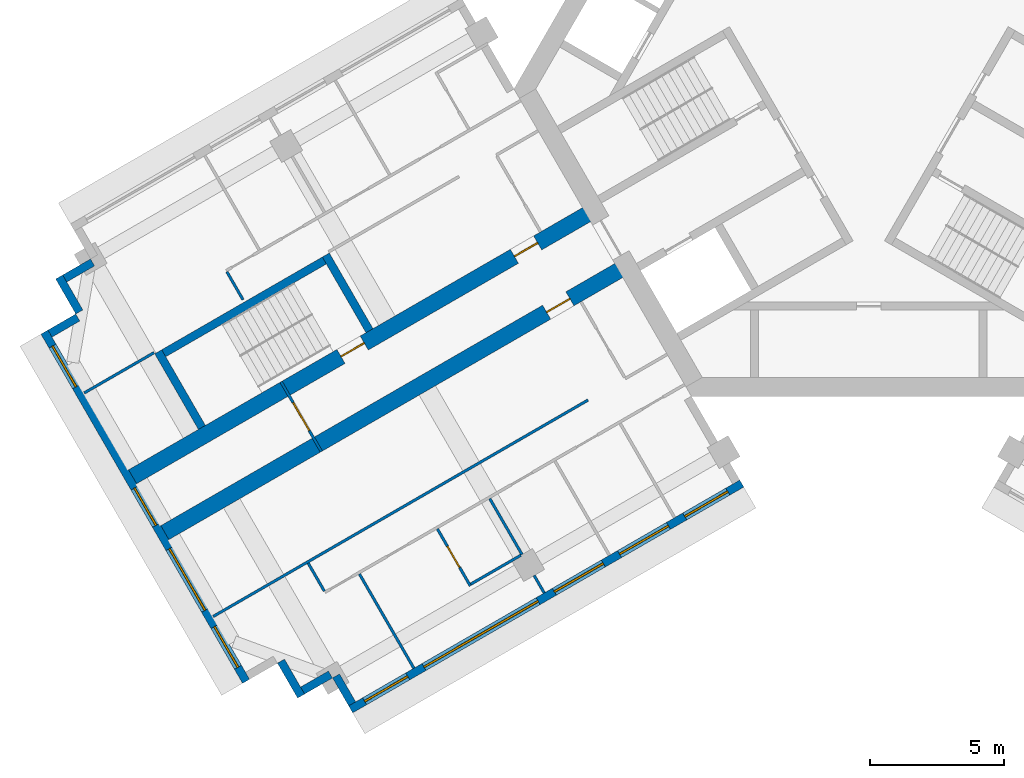
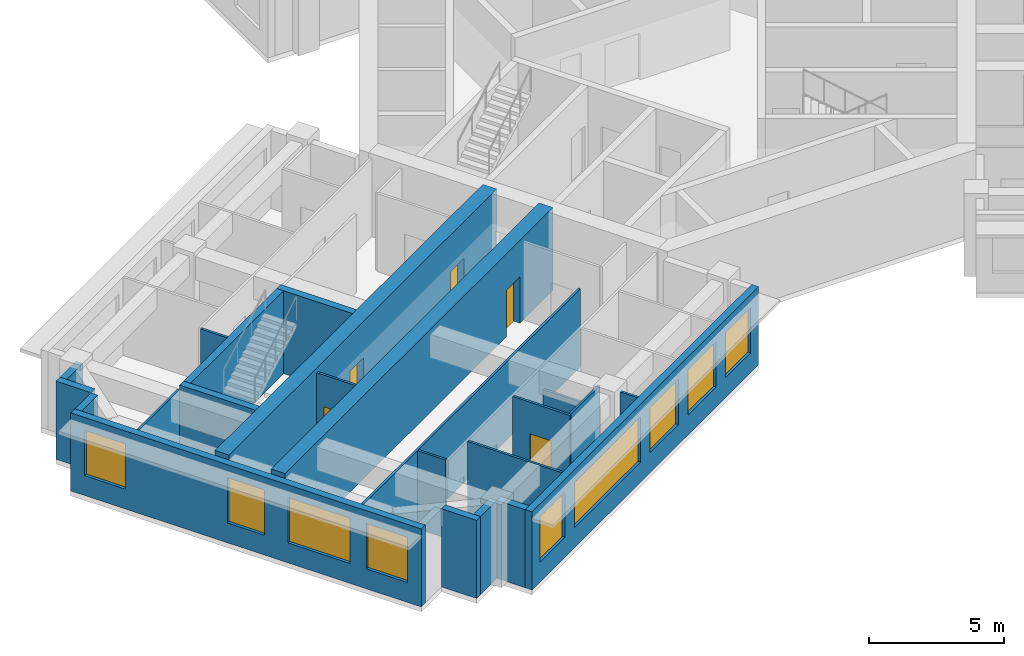
# One storey, part 2 of 10: 23 walls, 9 windows, 5 doors, 14 openings.
"""IFC4 building model written with IfcOpenShell, lengths in metres."""

from ifc_helpers import new_model, si_unit, direction, frame, frame_2d, origin, place, context, subcontext, project, spatial, rectangle, extrude, material, layer, layer_set, type_object, element, fill, save


model = new_model("IFC4")

# Units and contexts
model_context = context("Model", 3, precision=1e-05, world=origin(), true_north=direction((0.0, 1.0)))
body_context = subcontext(model_context, "Body", "Model", "MODEL_VIEW")
ifc_project = project(units=[si_unit("LENGTHUNIT", "METRE"), si_unit("AREAUNIT", "SQUARE_METRE"), si_unit("VOLUMEUNIT", "CUBIC_METRE"), si_unit("PLANEANGLEUNIT", "RADIAN"), si_unit("MASSUNIT", "GRAM", prefix="KILO")], contexts=[model_context])

# Site, building, storey
site_placement = place(None, origin())
site = spatial("IfcSite", under=ifc_project, at=site_placement, CompositionType="ELEMENT")
building_placement = place(site_placement, origin())
building = spatial("IfcBuilding", under=site, at=building_placement, Name="Impinga Residences", CompositionType="ELEMENT")
storey_placement = place(building_placement, frame((0.0, 0.0, 263.5)))
storey = spatial("IfcBuildingStorey", under=building, at=storey_placement, Name="L66", CompositionType="ELEMENT", Elevation=263.5)

# Wall, opening, door
ifc_material_1 = material(Name="Concrete C60/75", Category="concrete")
ifc_layer_1 = layer(ifc_material_1, 0.60009765625)
ifc_layer_set_1 = layer_set([ifc_layer_1], Name="Concrete C60/75")
wall_type_1 = type_object("IfcWallType", Name="BW3 corridor buttress wall, L46 to L73 600", PredefinedType="SHEAR", material=ifc_layer_set_1)
wall_1_placement = place(storey_placement, frame((-8.996826171875, -6.580078125, 0.0), z_axis=(0.0, 0.0, 1.0), x_axis=(-0.866030540451, -0.499991102927, 0.0)))
wall_1 = element("IfcWall", 1, at=wall_1_placement, inside=storey, type_object=wall_type_1, Name="Corridor wall BW3 WC L66", PredefinedType="SHEAR", context=body_context, shape_type="SweptSolid", body=[
    extrude(rectangle(XDim=19.849853515625, YDim=0.60009765625, at=frame_2d((9.9248046875, 0.0))), origin(), (0.0, 0.0, 1.0), 3.75),
])
opening_1_placement = place(wall_1_placement, frame((2.449951171875, 0.0, 0.0)))
opening_1 = element("IfcOpeningElement", 2, at=opening_1_placement, cuts=wall_1, Name="Opening D1", PredefinedType="OPENING", context=body_context, shape_type="SweptSolid", body=[
    extrude(rectangle(XDim=1.0, YDim=2.10009765625, at=frame_2d((0.5, 1.050048828125))), frame((0.0, 0.31005859375, 0.0), z_axis=(0.0, -1.0, 0.0), x_axis=(1.0, 0.0, 0.0)), (0.0, 0.0, 1.0), 0.6201171875),
])
ifc_material_2 = material(Name="Timber door set", Category="wood")
door_type_1 = type_object("IfcDoorType", Name="D1 apartment entrance door 1000x2100", OperationType="SINGLE_SWING_LEFT", PredefinedType="DOOR", material=ifc_material_2)
door_1_placement = place(opening_1_placement, origin())
door_1 = element("IfcDoor", 3, at=door_1_placement, inside=storey, type_object=door_type_1, Name="Apartment L66-WA1 entrance", OperationType="SINGLE_SWING_LEFT", OverallHeight=2.10009765625, OverallWidth=1.0, PredefinedType="DOOR", context=body_context, shape_type="SweptSolid", body=[
    extrude(rectangle(XDim=1.0, YDim=2.10009765625, at=frame_2d((0.5, 1.050048828125))), frame((0.0, 0.02490234375, 0.0), z_axis=(0.0, -1.0, 0.0), x_axis=(1.0, 0.0, 0.0)), (0.0, 0.0, 1.0), 0.050048828125),
])
fill(opening_1, door_1)

# Wall, openings, doors
wall_2_placement = place(storey_placement, frame((-10.19677734375, -4.50146484375, 0.0), z_axis=(0.0, 0.0, 1.0), x_axis=(-0.866025214745, -0.500000327426, 0.0)))
wall_2 = element("IfcWall", 4, at=wall_2_placement, inside=storey, type_object=wall_type_1, Name="Corridor wall BW3 WD L66", PredefinedType="SHEAR", context=body_context, shape_type="SweptSolid", body=[
    extrude(rectangle(XDim=19.85009765625, YDim=0.60009765625, at=frame_2d((9.925048828125, 0.0))), origin(), (0.0, 0.0, 1.0), 3.75),
])
opening_2_placement = place(wall_2_placement, frame((9.89990234375, 0.0, 0.0)))
opening_2 = element("IfcOpeningElement", 5, at=opening_2_placement, cuts=wall_2, Name="Opening D5", PredefinedType="OPENING", context=body_context, shape_type="SweptSolid", body=[
    extrude(rectangle(XDim=1.0, YDim=2.10009765625, at=frame_2d((0.5, 1.050048828125))), frame((0.0, 0.31005859375, 0.0), z_axis=(0.0, -1.0, 0.0), x_axis=(1.0, 0.0, 0.0)), (0.0, 0.0, 1.0), 0.6201171875),
])
opening_3_placement = place(wall_2_placement, frame((2.449951171875, 0.0, 0.0)))
opening_3 = element("IfcOpeningElement", 6, at=opening_3_placement, cuts=wall_2, Name="Opening D1", PredefinedType="OPENING", context=body_context, shape_type="SweptSolid", body=[
    extrude(rectangle(XDim=1.0, YDim=2.10009765625, at=frame_2d((0.5, 1.050048828125))), frame((0.0, 0.31005859375, 0.0), z_axis=(0.0, -1.0, 0.0), x_axis=(1.0, 0.0, 0.0)), (0.0, 0.0, 1.0), 0.6201171875),
])
door_2_placement = place(opening_3_placement, origin())
door_2 = element("IfcDoor", 7, at=door_2_placement, inside=storey, type_object=door_type_1, Name="Apartment L66-WF1 entrance", OperationType="SINGLE_SWING_LEFT", OverallHeight=2.10009765625, OverallWidth=1.0, PredefinedType="DOOR", context=body_context, shape_type="SweptSolid", body=[
    extrude(rectangle(XDim=1.0, YDim=2.10009765625, at=frame_2d((0.5, 1.050048828125))), frame((0.0, 0.02490234375, 0.0), z_axis=(0.0, -1.0, 0.0), x_axis=(1.0, 0.0, 0.0)), (0.0, 0.0, 1.0), 0.050048828125),
])
fill(opening_3, door_2)
door_type_2 = type_object("IfcDoorType", Name="D5 stair door 1000x2100", OperationType="SINGLE_SWING_LEFT", PredefinedType="DOOR", material=ifc_material_2)
door_3_placement = place(opening_2_placement, origin())
door_3 = element("IfcDoor", 8, at=door_3_placement, inside=storey, type_object=door_type_2, Name="Wing stair door W", OperationType="SINGLE_SWING_RIGHT", OverallHeight=2.10009765625, OverallWidth=1.0, PredefinedType="DOOR", context=body_context, shape_type="SweptSolid", body=[
    extrude(rectangle(XDim=1.0, YDim=2.10009765625, at=frame_2d((0.5, 1.050048828125))), frame((0.0, 0.02490234375, 0.0), z_axis=(0.0, -1.0, 0.0), x_axis=(1.0, 0.0, 0.0)), (0.0, 0.0, 1.0), 0.050048828125),
])
fill(opening_2, door_3)

# Wall, opening, door
ifc_material_3 = material(Name="Concrete blockwork", Category="masonry")
ifc_layer_2 = layer(ifc_material_3, 0.10009765625)
ifc_layer_set_2 = layer_set([ifc_layer_2], Name="CP1 core room partition, blockwork 100")
wall_type_2 = type_object("IfcWallType", Name="CP1 core room partition, blockwork 100", PredefinedType="PARTITIONING", material=ifc_layer_set_2)
wall_3_placement = place(storey_placement, frame((-20.364990234375, -13.48974609375, 0.0), z_axis=(0.0, 0.0, 1.0), x_axis=(-0.50002537861, 0.866010750942, 0.0)))
wall_3 = element("IfcWall", 9, at=wall_3_placement, inside=storey, type_object=wall_type_2, Name="Core room partition, blockwork L66:W:LNG", PredefinedType="PARTITIONING", context=body_context, shape_type="SweptSolid", body=[
    extrude(rectangle(XDim=2.999755859375, YDim=0.10009765625, at=frame_2d((1.5, 0.0))), origin(), (0.0, 0.0, 1.0), 3.530029296875),
])
opening_4_placement = place(wall_3_placement, frame((0.89990234375, 0.0, 0.0)))
opening_4 = element("IfcOpeningElement", 10, at=opening_4_placement, cuts=wall_3, Name="Opening D3", PredefinedType="OPENING", context=body_context, shape_type="SweptSolid", body=[
    extrude(rectangle(XDim=1.199951171875, YDim=2.10009765625, at=frame_2d((0.60009765625, 1.050048828125))), frame((0.0, 0.06005859375, 0.0), z_axis=(0.0, -1.0, 0.0), x_axis=(1.0, 0.0, 0.0)), (0.0, 0.0, 1.0), 0.1201171875),
])
door_type_3 = type_object("IfcDoorType", Name="D3 room door, leaf and a half 1200x2100", OperationType="DOUBLE_SWING_LEFT", PredefinedType="DOOR", material=ifc_material_2)
door_4_placement = place(opening_4_placement, origin())
door_4 = element("IfcDoor", 11, at=door_4_placement, inside=storey, type_object=door_type_3, Name="Residents' lounge door W", OperationType="DOUBLE_SWING_LEFT", OverallHeight=2.10009765625, OverallWidth=1.199951171875, PredefinedType="DOOR", context=body_context, shape_type="SweptSolid", body=[
    extrude(rectangle(XDim=1.199951171875, YDim=2.10009765625, at=frame_2d((0.60009765625, 1.050048828125))), frame((0.0, 0.02490234375, 0.0), z_axis=(0.0, -1.0, 0.0), x_axis=(1.0, 0.0, 0.0)), (0.0, 0.0, 1.0), 0.050048828125),
])
fill(opening_4, door_4)

# Walls
ifc_material_4 = material(Name="Terracotta rainscreen on blockwork", Category="masonry")
ifc_layer_3 = layer(ifc_material_4, 0.300048828125)
ifc_layer_set_3 = layer_set([ifc_layer_3], Name="EW1 external wall, terracotta rainscreen on blockwork 300")
wall_type_3 = type_object("IfcWallType", Name="EW1 external wall, terracotta rainscreen on blockwork 300", PredefinedType="SOLIDWALL", material=ifc_layer_set_3)
wall_4_placement = place(storey_placement, frame((-19.21923828125, -22.874267578125, 0.0), z_axis=(0.0, 0.0, 1.0), x_axis=(-0.500033551112, 0.866006032174, 0.0)))
element("IfcWall", 12, at=wall_4_placement, inside=storey, type_object=wall_type_3, Name="External wall EW1 L66", PredefinedType="SOLIDWALL", context=body_context, shape_type="SweptSolid", body=[
    extrude(rectangle(XDim=1.2001953125, YDim=0.300048828125, at=frame_2d((0.60009765625, 0.0))), origin(), (0.0, 0.0, 1.0), 3.530029296875),
])
wall_5_placement = place(storey_placement, frame((-20.028564453125, -21.782470703125, 0.0), z_axis=(0.0, 0.0, 1.0), x_axis=(-0.865971243484, -0.500093796661, 0.0)))
element("IfcWall", 13, at=wall_5_placement, inside=storey, type_object=wall_type_3, Name="External wall EW1 L66", PredefinedType="SOLIDWALL", context=body_context, shape_type="SweptSolid", body=[
    extrude(rectangle(XDim=1.195068359375, YDim=0.300048828125, at=frame_2d((0.59765625, 0.0))), origin(), (0.0, 0.0, 1.0), 3.530029296875),
])
wall_6_placement = place(storey_placement, frame((-21.118408203125, -22.5849609375, 0.0), z_axis=(0.0, 0.0, 1.0), x_axis=(-0.499990139034, 0.866031096941, 0.0)))
element("IfcWall", 14, at=wall_6_placement, inside=storey, type_object=wall_type_3, Name="External wall EW1 L66", PredefinedType="SOLIDWALL", context=body_context, shape_type="SweptSolid", body=[
    extrude(rectangle(XDim=1.5, YDim=0.300048828125, at=frame_2d((0.75, 0.0))), origin(), (0.0, 0.0, 1.0), 3.530029296875),
])

# Wall, openings, windows
wall_7_placement = place(storey_placement, frame((-23.16748046875, -22.035888671875, 0.0), z_axis=(0.0, 0.0, 1.0), x_axis=(-0.500004234368, 0.866022959057, 0.0)))
wall_7 = element("IfcWall", 15, at=wall_7_placement, inside=storey, type_object=wall_type_3, Name="External wall EW1 L66", PredefinedType="SOLIDWALL", context=body_context, shape_type="SweptSolid", body=[
    extrude(rectangle(XDim=14.999755859375, YDim=0.300048828125, at=frame_2d((7.5, 0.0))), origin(), (0.0, 0.0, 1.0), 3.530029296875),
])
opening_5_placement = place(wall_7_placement, frame((0.60009765625, 0.0, 0.89990234375)))
opening_5 = element("IfcOpeningElement", 16, at=opening_5_placement, cuts=wall_7, Name="Opening W1", PredefinedType="OPENING", context=body_context, shape_type="SweptSolid", body=[
    extrude(rectangle(XDim=1.75, YDim=2.050048828125, at=frame_2d((0.875, 1.02490234375))), frame((0.0, 0.159912109375, 0.0), z_axis=(0.0, -1.0, 0.0), x_axis=(1.0, 0.0, 0.0)), (0.0, 0.0, 1.0), 0.320068359375),
])
opening_6_placement = place(wall_7_placement, frame((3.050048828125, 0.0, 0.89990234375)))
opening_6 = element("IfcOpeningElement", 17, at=opening_6_placement, cuts=wall_7, Name="Opening W18", PredefinedType="OPENING", context=body_context, shape_type="SweptSolid", body=[
    extrude(rectangle(XDim=2.64990234375, YDim=2.050048828125, at=frame_2d((1.324951171875, 1.02490234375))), frame((0.0, 0.159912109375, 0.0), z_axis=(0.0, -1.0, 0.0), x_axis=(1.0, 0.0, 0.0)), (0.0, 0.0, 1.0), 0.320068359375),
])
opening_7_placement = place(wall_7_placement, frame((6.699951171875, 0.0, 0.89990234375)))
opening_7 = element("IfcOpeningElement", 18, at=opening_7_placement, cuts=wall_7, Name="Opening W19", PredefinedType="OPENING", context=body_context, shape_type="SweptSolid", body=[
    extrude(rectangle(XDim=1.60009765625, YDim=2.050048828125, at=frame_2d((0.800048828125, 1.02490234375))), frame((0.0, 0.159912109375, 0.0), z_axis=(0.0, -1.0, 0.0), x_axis=(1.0, 0.0, 0.0)), (0.0, 0.0, 1.0), 0.320068359375),
])
opening_8_placement = place(wall_7_placement, frame((12.64990234375, 0.0, 0.89990234375)))
opening_8 = element("IfcOpeningElement", 19, at=opening_8_placement, cuts=wall_7, Name="Opening W1", PredefinedType="OPENING", context=body_context, shape_type="SweptSolid", body=[
    extrude(rectangle(XDim=1.75, YDim=2.050048828125, at=frame_2d((0.875, 1.02490234375))), frame((0.0, 0.159912109375, 0.0), z_axis=(0.0, -1.0, 0.0), x_axis=(1.0, 0.0, 0.0)), (0.0, 0.0, 1.0), 0.320068359375),
])
ifc_material_5 = material(Name="Aluminium window, clear double glazing", Category="aluminium")
window_type_1 = type_object("IfcWindowType", Name="W1 ribbon window 1750x2050", PartitioningType="SINGLE_PANEL", PredefinedType="WINDOW", material=ifc_material_5)
window_1_placement = place(opening_5_placement, origin())
window_1 = element("IfcWindow", 20, at=window_1_placement, inside=storey, type_object=window_type_1, Name="Window L66", OverallHeight=2.050048828125, OverallWidth=1.75, PartitioningType="SINGLE_PANEL", PredefinedType="WINDOW", context=body_context, shape_type="SweptSolid", body=[
    extrude(rectangle(XDim=1.75, YDim=2.050048828125, at=frame_2d((0.875, 1.02490234375))), frame((0.0, 0.030029296875, 0.0), z_axis=(0.0, -1.0, 0.0), x_axis=(1.0, 0.0, 0.0)), (0.0, 0.0, 1.0), 0.06005859375),
])
fill(opening_5, window_1)
window_2_placement = place(opening_8_placement, origin())
window_2 = element("IfcWindow", 21, at=window_2_placement, inside=storey, type_object=window_type_1, Name="Window L66", OverallHeight=2.050048828125, OverallWidth=1.75, PartitioningType="SINGLE_PANEL", PredefinedType="WINDOW", context=body_context, shape_type="SweptSolid", body=[
    extrude(rectangle(XDim=1.75, YDim=2.050048828125, at=frame_2d((0.875, 1.02490234375))), frame((0.0, 0.030029296875, 0.0), z_axis=(0.0, -1.0, 0.0), x_axis=(1.0, 0.0, 0.0)), (0.0, 0.0, 1.0), 0.06005859375),
])
fill(opening_8, window_2)
window_type_2 = type_object("IfcWindowType", Name="W18 ribbon window 2650x2050", PartitioningType="SINGLE_PANEL", PredefinedType="WINDOW", material=ifc_material_5)
window_3_placement = place(opening_6_placement, origin())
window_3 = element("IfcWindow", 22, at=window_3_placement, inside=storey, type_object=window_type_2, Name="Window L66", OverallHeight=2.050048828125, OverallWidth=2.64990234375, PartitioningType="SINGLE_PANEL", PredefinedType="WINDOW", context=body_context, shape_type="SweptSolid", body=[
    extrude(rectangle(XDim=2.64990234375, YDim=2.050048828125, at=frame_2d((1.324951171875, 1.02490234375))), frame((0.0, 0.030029296875, 0.0), z_axis=(0.0, -1.0, 0.0), x_axis=(1.0, 0.0, 0.0)), (0.0, 0.0, 1.0), 0.06005859375),
])
fill(opening_6, window_3)
window_type_3 = type_object("IfcWindowType", Name="W19 ribbon window 1600x2050", PartitioningType="SINGLE_PANEL", PredefinedType="WINDOW", material=ifc_material_5)
window_4_placement = place(opening_7_placement, origin())
window_4 = element("IfcWindow", 23, at=window_4_placement, inside=storey, type_object=window_type_3, Name="Window L66", OverallHeight=2.050048828125, OverallWidth=1.60009765625, PartitioningType="SINGLE_PANEL", PredefinedType="WINDOW", context=body_context, shape_type="SweptSolid", body=[
    extrude(rectangle(XDim=1.60009765625, YDim=2.050048828125, at=frame_2d((0.800048828125, 1.02490234375))), frame((0.0, 0.030029296875, 0.0), z_axis=(0.0, -1.0, 0.0), x_axis=(1.0, 0.0, 0.0)), (0.0, 0.0, 1.0), 0.06005859375),
])
fill(opening_7, window_4)

# Walls
wall_8_placement = place(storey_placement, frame((-30.46240234375, -9.1005859375, 0.0), z_axis=(0.0, 0.0, 1.0), x_axis=(0.865971243484, 0.500093796661, 0.0)))
element("IfcWall", 24, at=wall_8_placement, inside=storey, type_object=wall_type_3, Name="External wall EW1 L66", PredefinedType="SOLIDWALL", context=body_context, shape_type="SweptSolid", body=[
    extrude(rectangle(XDim=1.195068359375, YDim=0.300048828125, at=frame_2d((0.59765625, 0.0))), origin(), (0.0, 0.0, 1.0), 3.530029296875),
])
wall_9_placement = place(storey_placement, frame((-29.368408203125, -8.295654296875, 0.0), z_axis=(0.0, 0.0, 1.0), x_axis=(-0.499990139034, 0.866031096941, 0.0)))
element("IfcWall", 25, at=wall_9_placement, inside=storey, type_object=wall_type_3, Name="External wall EW1 L66", PredefinedType="SOLIDWALL", context=body_context, shape_type="SweptSolid", body=[
    extrude(rectangle(XDim=1.5, YDim=0.300048828125, at=frame_2d((0.75, 0.0))), origin(), (0.0, 0.0, 1.0), 3.530029296875),
])
wall_10_placement = place(storey_placement, frame((-29.91357421875, -7.051513671875, 0.0), z_axis=(0.0, 0.0, 1.0), x_axis=(0.865971243484, 0.500093796661, 0.0)))
element("IfcWall", 26, at=wall_10_placement, inside=storey, type_object=wall_type_3, Name="External wall EW1 L66", PredefinedType="SOLIDWALL", context=body_context, shape_type="SweptSolid", body=[
    extrude(rectangle(XDim=1.195068359375, YDim=0.300048828125, at=frame_2d((0.59765625, 0.0))), origin(), (0.0, 0.0, 1.0), 3.530029296875),
])

# Wall, openings, windows
wall_11_placement = place(storey_placement, frame((-4.72509765625, -14.67919921875, 0.0), z_axis=(0.0, 0.0, 1.0), x_axis=(-0.86602562146, -0.499999622975, 0.0)))
wall_11 = element("IfcWall", 27, at=wall_11_placement, inside=storey, type_object=wall_type_3, Name="External wall EW1 L66", PredefinedType="SOLIDWALL", context=body_context, shape_type="SweptSolid", body=[
    extrude(rectangle(XDim=16.7998046875, YDim=0.300048828125, at=frame_2d((8.39990234375, 0.0))), origin(), (0.0, 0.0, 1.0), 3.530029296875),
])
opening_9_placement = place(wall_11_placement, frame((0.60009765625, 0.0, 0.89990234375)))
opening_9 = element("IfcOpeningElement", 28, at=opening_9_placement, cuts=wall_11, Name="Opening W15", PredefinedType="OPENING", context=body_context, shape_type="SweptSolid", body=[
    extrude(rectangle(XDim=1.85009765625, YDim=2.050048828125, at=frame_2d((0.925048828125, 1.02490234375))), frame((0.0, 0.159912109375, 0.0), z_axis=(0.0, -1.0, 0.0), x_axis=(1.0, 0.0, 0.0)), (0.0, 0.0, 1.0), 0.320068359375),
])
opening_10_placement = place(wall_11_placement, frame((3.14990234375, 0.0, 0.89990234375)))
opening_10 = element("IfcOpeningElement", 29, at=opening_10_placement, cuts=wall_11, Name="Opening W9", PredefinedType="OPENING", context=body_context, shape_type="SweptSolid", body=[
    extrude(rectangle(XDim=2.10009765625, YDim=2.050048828125, at=frame_2d((1.050048828125, 1.02490234375))), frame((0.0, 0.159912109375, 0.0), z_axis=(0.0, -1.0, 0.0), x_axis=(1.0, 0.0, 0.0)), (0.0, 0.0, 1.0), 0.320068359375),
])
opening_11_placement = place(wall_11_placement, frame((5.949951171875, 0.0, 0.89990234375)))
opening_11 = element("IfcOpeningElement", 30, at=opening_11_placement, cuts=wall_11, Name="Opening W9", PredefinedType="OPENING", context=body_context, shape_type="SweptSolid", body=[
    extrude(rectangle(XDim=2.10009765625, YDim=2.050048828125, at=frame_2d((1.050048828125, 1.02490234375))), frame((0.0, 0.159912109375, 0.0), z_axis=(0.0, -1.0, 0.0), x_axis=(1.0, 0.0, 0.0)), (0.0, 0.0, 1.0), 0.320068359375),
])
opening_12_placement = place(wall_11_placement, frame((8.75, 0.0, 0.89990234375)))
opening_12 = element("IfcOpeningElement", 31, at=opening_12_placement, cuts=wall_11, Name="Opening W16", PredefinedType="OPENING", context=body_context, shape_type="SweptSolid", body=[
    extrude(rectangle(XDim=4.89990234375, YDim=2.050048828125, at=frame_2d((2.449951171875, 1.02490234375))), frame((0.0, 0.159912109375, 0.0), z_axis=(0.0, -1.0, 0.0), x_axis=(1.0, 0.0, 0.0)), (0.0, 0.0, 1.0), 0.320068359375),
])
opening_13_placement = place(wall_11_placement, frame((14.35009765625, 0.0, 0.89990234375)))
opening_13 = element("IfcOpeningElement", 32, at=opening_13_placement, cuts=wall_11, Name="Opening W15", PredefinedType="OPENING", context=body_context, shape_type="SweptSolid", body=[
    extrude(rectangle(XDim=1.85009765625, YDim=2.050048828125, at=frame_2d((0.925048828125, 1.02490234375))), frame((0.0, 0.159912109375, 0.0), z_axis=(0.0, -1.0, 0.0), x_axis=(1.0, 0.0, 0.0)), (0.0, 0.0, 1.0), 0.320068359375),
])
window_type_4 = type_object("IfcWindowType", Name="W15 ribbon window 1850x2050", PartitioningType="SINGLE_PANEL", PredefinedType="WINDOW", material=ifc_material_5)
window_5_placement = place(opening_9_placement, origin())
window_5 = element("IfcWindow", 33, at=window_5_placement, inside=storey, type_object=window_type_4, Name="Window L66", OverallHeight=2.050048828125, OverallWidth=1.85009765625, PartitioningType="SINGLE_PANEL", PredefinedType="WINDOW", context=body_context, shape_type="SweptSolid", body=[
    extrude(rectangle(XDim=1.85009765625, YDim=2.050048828125, at=frame_2d((0.925048828125, 1.02490234375))), frame((0.0, 0.030029296875, 0.0), z_axis=(0.0, -1.0, 0.0), x_axis=(1.0, 0.0, 0.0)), (0.0, 0.0, 1.0), 0.06005859375),
])
fill(opening_9, window_5)
window_6_placement = place(opening_13_placement, origin())
window_6 = element("IfcWindow", 34, at=window_6_placement, inside=storey, type_object=window_type_4, Name="Window L66", OverallHeight=2.050048828125, OverallWidth=1.85009765625, PartitioningType="SINGLE_PANEL", PredefinedType="WINDOW", context=body_context, shape_type="SweptSolid", body=[
    extrude(rectangle(XDim=1.85009765625, YDim=2.050048828125, at=frame_2d((0.925048828125, 1.02490234375))), frame((0.0, 0.030029296875, 0.0), z_axis=(0.0, -1.0, 0.0), x_axis=(1.0, 0.0, 0.0)), (0.0, 0.0, 1.0), 0.06005859375),
])
fill(opening_13, window_6)
window_type_5 = type_object("IfcWindowType", Name="W16 ribbon window 4900x2050", PartitioningType="SINGLE_PANEL", PredefinedType="WINDOW", material=ifc_material_5)
window_7_placement = place(opening_12_placement, origin())
window_7 = element("IfcWindow", 35, at=window_7_placement, inside=storey, type_object=window_type_5, Name="Window L66", OverallHeight=2.050048828125, OverallWidth=4.89990234375, PartitioningType="SINGLE_PANEL", PredefinedType="WINDOW", context=body_context, shape_type="SweptSolid", body=[
    extrude(rectangle(XDim=4.89990234375, YDim=2.050048828125, at=frame_2d((2.449951171875, 1.02490234375))), frame((0.0, 0.030029296875, 0.0), z_axis=(0.0, -1.0, 0.0), x_axis=(1.0, 0.0, 0.0)), (0.0, 0.0, 1.0), 0.06005859375),
])
fill(opening_12, window_7)
window_type_6 = type_object("IfcWindowType", Name="W9 ribbon window 2100x2050", PartitioningType="SINGLE_PANEL", PredefinedType="WINDOW", material=ifc_material_5)
window_8_placement = place(opening_10_placement, origin())
window_8 = element("IfcWindow", 36, at=window_8_placement, inside=storey, type_object=window_type_6, Name="Window L66", OverallHeight=2.050048828125, OverallWidth=2.10009765625, PartitioningType="SINGLE_PANEL", PredefinedType="WINDOW", context=body_context, shape_type="SweptSolid", body=[
    extrude(rectangle(XDim=2.10009765625, YDim=2.050048828125, at=frame_2d((1.050048828125, 1.02490234375))), frame((0.0, 0.030029296875, 0.0), z_axis=(0.0, -1.0, 0.0), x_axis=(1.0, 0.0, 0.0)), (0.0, 0.0, 1.0), 0.06005859375),
])
fill(opening_10, window_8)
window_9_placement = place(opening_11_placement, origin())
window_9 = element("IfcWindow", 37, at=window_9_placement, inside=storey, type_object=window_type_6, Name="Window L66", OverallHeight=2.050048828125, OverallWidth=2.10009765625, PartitioningType="SINGLE_PANEL", PredefinedType="WINDOW", context=body_context, shape_type="SweptSolid", body=[
    extrude(rectangle(XDim=2.10009765625, YDim=2.050048828125, at=frame_2d((1.050048828125, 1.02490234375))), frame((0.0, 0.030029296875, 0.0), z_axis=(0.0, -1.0, 0.0), x_axis=(1.0, 0.0, 0.0)), (0.0, 0.0, 1.0), 0.06005859375),
])
fill(opening_11, window_9)

# Walls
ifc_material_6 = material(Name="Gypsum board on steel studs", Category="steel")
ifc_layer_4 = layer(ifc_material_6, 0.10009765625)
ifc_layer_set_4 = layer_set([ifc_layer_4], Name="Gypsum board on steel studs")
wall_type_4 = type_object("IfcWallType", Name="IP1 partition 100", PredefinedType="PARTITIONING", material=ifc_layer_set_4)
wall_12_placement = place(storey_placement, frame((-10.444580078125, -11.57275390625, 0.0), z_axis=(0.0, 0.0, 1.0), x_axis=(-0.866021949085, -0.500005983666, 0.0)))
element("IfcWall", 38, at=wall_12_placement, inside=storey, type_object=wall_type_4, Name="Partition L66-WA1:DIV1", PredefinedType="PARTITIONING", context=body_context, shape_type="SweptSolid", body=[
    extrude(rectangle(XDim=16.099853515625, YDim=0.10009765625, at=frame_2d((8.0498046875, 0.0))), origin(), (0.0, 0.0, 1.0), 3.530029296875),
])
wall_13_placement = place(storey_placement, frame((-20.85498046875, -17.640869140625, 0.0), z_axis=(0.0, 0.0, 1.0), x_axis=(0.499880961361, -0.866094119867, 0.0)))
element("IfcWall", 39, at=wall_13_placement, inside=storey, type_object=wall_type_4, Name="Partition L66-WA1:SE1", PredefinedType="PARTITIONING", context=body_context, shape_type="SweptSolid", body=[
    extrude(rectangle(XDim=1.199951171875, YDim=0.10009765625, at=frame_2d((0.60009765625, 0.0))), origin(), (0.0, 0.0, 1.0), 3.530029296875),
])
wall_14_placement = place(storey_placement, frame((-14.099609375, -15.241943359375, 0.0), z_axis=(0.0, 0.0, 1.0), x_axis=(0.500001309137, -0.866024647952, 0.0)))
element("IfcWall", 40, at=wall_14_placement, inside=storey, type_object=wall_type_4, Name="Partition L66-WA1:OB3", PredefinedType="PARTITIONING", context=body_context, shape_type="SweptSolid", body=[
    extrude(rectangle(XDim=2.39990234375, YDim=0.10009765625, at=frame_2d((1.199951171875, 0.0))), origin(), (0.0, 0.0, 1.0), 2.47998046875),
])
wall_15_placement = place(storey_placement, frame((-12.44970703125, -18.099609375, 0.0), z_axis=(0.0, 0.0, 1.0), x_axis=(0.499919672301, -0.866071776036, 0.0)))
element("IfcWall", 41, at=wall_15_placement, inside=storey, type_object=wall_type_4, Name="Partition L66-WA1:OB3b", PredefinedType="PARTITIONING", context=body_context, shape_type="SweptSolid", body=[
    extrude(rectangle(XDim=0.75, YDim=0.10009765625, at=frame_2d((0.375, 0.0))), origin(), (0.0, 0.0, 1.0), 3.530029296875),
])
wall_16_placement = place(storey_placement, frame((-18.949462890625, -18.041748046875, 0.0), z_axis=(0.0, 0.0, 1.0), x_axis=(0.50000943426, -0.866019956843, 0.0)))
element("IfcWall", 42, at=wall_16_placement, inside=storey, type_object=wall_type_4, Name="Partition L66-WA1:OB4", PredefinedType="PARTITIONING", context=body_context, shape_type="SweptSolid", body=[
    extrude(rectangle(XDim=4.05029296875, YDim=0.10009765625, at=frame_2d((2.025146484375, 0.0))), origin(), (0.0, 0.0, 1.0), 3.530029296875),
])

# Wall, opening, door
wall_17_placement = place(storey_placement, frame((-16.048095703125, -16.366943359375, 0.0), z_axis=(0.0, 0.0, 1.0), x_axis=(0.499987006516, -0.866032905446, 0.0)))
wall_17 = element("IfcWall", 43, at=wall_17_placement, inside=storey, type_object=wall_type_4, Name="Partition L66-WA1:EN1", PredefinedType="PARTITIONING", context=body_context, shape_type="SweptSolid", body=[
    extrude(rectangle(XDim=2.44970703125, YDim=0.10009765625, at=frame_2d((1.224853515625, 0.0))), origin(), (0.0, 0.0, 1.0), 3.530029296875),
])
opening_14_placement = place(wall_17_placement, frame((0.75, 0.0, 0.0)))
opening_14 = element("IfcOpeningElement", 44, at=opening_14_placement, cuts=wall_17, Name="Opening D2", PredefinedType="OPENING", context=body_context, shape_type="SweptSolid", body=[
    extrude(rectangle(XDim=0.89990234375, YDim=2.10009765625, at=frame_2d((0.449951171875, 1.050048828125))), frame((0.0, 0.06005859375, 0.0), z_axis=(0.0, -1.0, 0.0), x_axis=(1.0, 0.0, 0.0)), (0.0, 0.0, 1.0), 0.1201171875),
])
door_type_4 = type_object("IfcDoorType", Name="D2 internal door 900x2100", OperationType="SINGLE_SWING_LEFT", PredefinedType="DOOR", material=ifc_material_2)
door_5_placement = place(opening_14_placement, origin())
door_5 = element("IfcDoor", 45, at=door_5_placement, inside=storey, type_object=door_type_4, Name="Apartment L66-WA1 en-suite door", OperationType="SINGLE_SWING_LEFT", OverallHeight=2.10009765625, OverallWidth=0.89990234375, PredefinedType="DOOR", context=body_context, shape_type="SweptSolid", body=[
    extrude(rectangle(XDim=0.89990234375, YDim=2.10009765625, at=frame_2d((0.449951171875, 1.050048828125))), frame((0.0, 0.02490234375, 0.0), z_axis=(0.0, -1.0, 0.0), x_axis=(1.0, 0.0, 0.0)), (0.0, 0.0, 1.0), 0.050048828125),
])
fill(opening_14, door_5)

# Walls
wall_18_placement = place(storey_placement, frame((-12.94287109375, -17.34521484375, 0.0), z_axis=(0.0, 0.0, 1.0), x_axis=(-0.866047553582, -0.499961633463, 0.0)))
element("IfcWall", 46, at=wall_18_placement, inside=storey, type_object=wall_type_4, Name="Partition L66-WA1:EN2", PredefinedType="PARTITIONING", context=body_context, shape_type="SweptSolid", body=[
    extrude(rectangle(XDim=2.150146484375, YDim=0.10009765625, at=frame_2d((1.0751953125, 0.0))), origin(), (0.0, 0.0, 1.0), 3.530029296875),
])
wall_19_placement = place(storey_placement, frame((-26.58935546875, -9.808837890625, 0.0), z_axis=(0.0, 0.0, 1.0), x_axis=(-0.866031096941, -0.499990139034, 0.0)))
element("IfcWall", 47, at=wall_19_placement, inside=storey, type_object=wall_type_4, Name="Partition L66-WF1:DIV2", PredefinedType="PARTITIONING", context=body_context, shape_type="SweptSolid", body=[
    extrude(rectangle(XDim=3.0, YDim=0.10009765625, at=frame_2d((1.5, 0.0))), origin(), (0.0, 0.0, 1.0), 3.530029296875),
])
wall_20_placement = place(storey_placement, frame((-23.2802734375, -7.840576171875, 0.0), z_axis=(0.0, 0.0, 1.0), x_axis=(-0.499880961361, 0.866094119867, 0.0)))
element("IfcWall", 48, at=wall_20_placement, inside=storey, type_object=wall_type_4, Name="Partition L66-WF1:SE1", PredefinedType="PARTITIONING", context=body_context, shape_type="SweptSolid", body=[
    extrude(rectangle(XDim=1.199951171875, YDim=0.10009765625, at=frame_2d((0.60009765625, 0.0))), origin(), (0.0, 0.0, 1.0), 3.530029296875),
])
ifc_layer_5 = layer(ifc_material_1, 0.300048828125)
ifc_layer_set_5 = layer_set([ifc_layer_5], Name="Concrete C60/75")
wall_type_5 = type_object("IfcWallType", Name="SE1 wing stair enclosure wall 300", PredefinedType="SOLIDWALL", material=ifc_layer_set_5)
for number, where, z_axis, x_axis, name in (
    (49, (-18.57421875, -8.99169921875, 0.0), (0.0, 0.0, 1.0), (-0.500017246033, 0.866015446554, 0.0), "Stair enclosure wall SE1 W END0 L66"),
    (50, (-24.8095703125, -12.591796875, 0.0), (0.0, 0.0, 1.0), (-0.499984717929, 0.866034226713, 0.0), "Stair enclosure wall SE1 W END1 L66"),
):
    element("IfcWall", number, at=place(storey_placement, frame(where, z_axis=z_axis, x_axis=x_axis)), inside=storey, type_object=wall_type_5, Name=name, PredefinedType="SOLIDWALL", context=body_context, shape_type="SweptSolid", body=[
        extrude(rectangle(XDim=3.25, YDim=0.300048828125, at=frame_2d((1.625, 0.0))), origin(), (0.0, 0.0, 1.0), 3.75),
    ])
wall_21_placement = place(storey_placement, frame((-20.254150390625, -6.382080078125, 0.0), z_axis=(0.0, 0.0, 1.0), x_axis=(-0.866020008033, -0.500009345598, 0.0)))
element("IfcWall", 51, at=wall_21_placement, inside=storey, type_object=wall_type_5, Name="Stair enclosure wall SE1 W OUT L66", PredefinedType="SOLIDWALL", context=body_context, shape_type="SweptSolid", body=[
    extrude(rectangle(XDim=6.899658203125, YDim=0.300048828125, at=frame_2d((3.44970703125, 0.0))), origin(), (0.0, 0.0, 1.0), 3.75),
])

save(model, "model.ifc")
